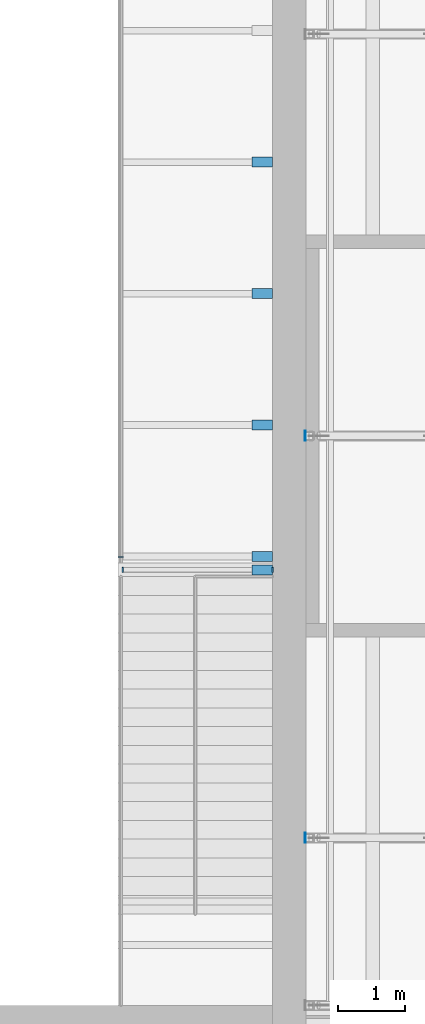
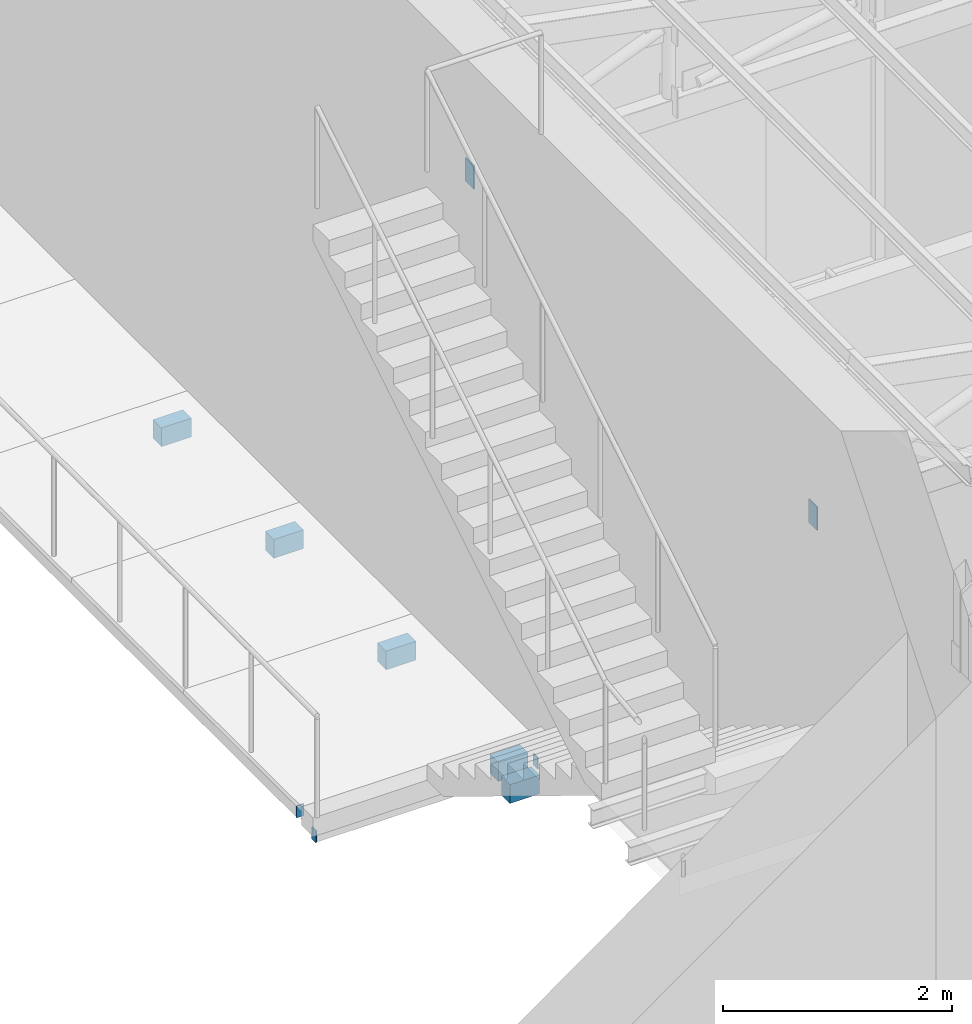
# One storey, part 99 of 118: 10 discrete accessories.
"""IFC4 building model written with IfcOpenShell, lengths in metres."""

from ifc_helpers import new_model, si_unit, direction, frame, origin, origin_2d, place, context, subcontext, project, spatial, rectangle, extrude, material, material_profile, profile_set, type_object, element, save


model = new_model("IFC4")

# Units and contexts
model_context = context("Model", 3, precision=1e-05, world=origin(), true_north=direction((0.0, 1.0)))
body_context = subcontext(model_context, "Body", "Model", "MODEL_VIEW")
ifc_project = project(units=[si_unit("LENGTHUNIT", "METRE"), si_unit("AREAUNIT", "SQUARE_METRE"), si_unit("VOLUMEUNIT", "CUBIC_METRE"), si_unit("PLANEANGLEUNIT", "RADIAN"), si_unit("MASSUNIT", "GRAM", prefix="KILO")], contexts=[model_context])

# Site, building, storey
site_placement = place(None, origin())
site = spatial("IfcSite", under=ifc_project, at=site_placement, CompositionType="ELEMENT")
building_placement = place(site_placement, origin())
building = spatial("IfcBuilding", under=site, at=building_placement, Name="Saffron Lane Theatres", CompositionType="ELEMENT")
storey_placement = place(building_placement, frame((0.0, 0.0, 16.5)))
storey = spatial("IfcBuildingStorey", under=building, at=storey_placement, Name="L03", CompositionType="ELEMENT", Elevation=16.5)

# Discrete accessories
ifc_material_1 = material(Name="Steel Grade 350", Category="steel")
ifc_material_profile_1 = material_profile(ifc_material_1, rectangle(XDim=0.074951171875, YDim=0.125, at=origin_2d()))
ifc_profile_set_1 = profile_set([ifc_material_profile_1], Name="Steel Grade 350")
discrete_accessory_type_1 = type_object("IfcDiscreteAccessoryType", Name="ST-STEEL END CAP 125x75x5 RHS", PredefinedType="ANCHORPLATE", material=ifc_profile_set_1)
for number, where, z_axis, x_axis, name in (
    (1, (45.262939453125, 37.0, -0.262451171875), (1.0, 0.0, 0.0), (0.0, 1.0, 0.0), "EC599"),
    (2, (47.5, 37.0, -0.262451171875), (1.0, 0.0, 0.0), (0.0, 1.0, 0.0), "EC600"),
    (3, (45.237548828125, 37.18798828125, -0.112548828125), (0.0, 1.0, 0.0), (-1.0, 0.0, 0.0), "EC601"),
):
    element("IfcDiscreteAccessory", number, at=place(storey_placement, frame(where, z_axis=z_axis, x_axis=x_axis)), inside=storey, type_object=discrete_accessory_type_1, Name=name, PredefinedType="ANCHORPLATE", context=body_context, shape_type="SweptSolid", body=[
        extrude(rectangle(XDim=0.074951171875, YDim=0.125, at=origin_2d()), origin(), (0.0, 0.0, 1.0), 0.011962890625),
    ])
ifc_material_2 = material(Name="Steel Grade 350", Category="steel")
ifc_material_profile_2 = material_profile(ifc_material_2, rectangle(XDim=0.14990234375, YDim=0.25, at=origin_2d()))
ifc_profile_set_2 = profile_set([ifc_material_profile_2], Name="Steel Grade 350")
discrete_accessory_type_2 = type_object("IfcDiscreteAccessoryType", Name="ST-STEEL END CAP 250x150x9 RHS", PredefinedType="ANCHORPLATE", material=ifc_profile_set_2)
for number, where, z_axis, x_axis, name in (
    (4, (48.0, 33.0, 4.625), (-1.0, 0.0, 0.0), (0.0, -1.0, 0.0), "EC529"),
    (5, (48.0, 39.0, 4.625), (-1.0, 0.0, 0.0), (0.0, -1.0, 0.0), "EC540"),
):
    element("IfcDiscreteAccessory", number, at=place(storey_placement, frame(where, z_axis=z_axis, x_axis=x_axis)), inside=storey, type_object=discrete_accessory_type_2, Name=name, PredefinedType="ANCHORPLATE", context=body_context, shape_type="SweptSolid", body=[
        extrude(rectangle(XDim=0.14990234375, YDim=0.25, at=origin_2d()), origin(), (0.0, 0.0, 1.0), 0.011962890625),
    ])
for number, where, z_axis, x_axis, name in (
    (6, (47.35009765625, 37.0, -0.5615234375), (0.0, 0.0, 1.0), (1.0, 0.0, 0.0), "FKE16.5-1"),
    (7, (47.35009765625, 37.199951171875, -0.44775390625), (0.0, 0.0, 1.0), (1.0, 0.0, 0.0), "FKE16.5-2"),
    (8, (47.35009765625, 39.16259765625, -0.44775390625), (0.0, 0.0, 1.0), (1.0, 0.0, 0.0), "FKE16.5-3"),
    (9, (47.35009765625, 41.125, -0.44775390625), (0.0, 0.0, 1.0), (1.0, 0.0, 0.0), "FKE16.5-4"),
    (10, (47.35009765625, 43.08740234375, -0.44775390625), (0.0, 0.0, 1.0), (1.0, 0.0, 0.0), "FKE16.5-5"),
):
    element("IfcDiscreteAccessory", number, at=place(storey_placement, frame(where, z_axis=z_axis, x_axis=x_axis)), inside=storey, Name=name, PredefinedType="BRACKET", context=body_context, shape_type="SweptSolid", body=[
        extrude(rectangle(XDim=0.300048828125, YDim=0.14990234375, at=origin_2d()), origin(), (0.0, 0.0, 1.0), 0.199951171875),
    ])

save(model, "model.ifc")
